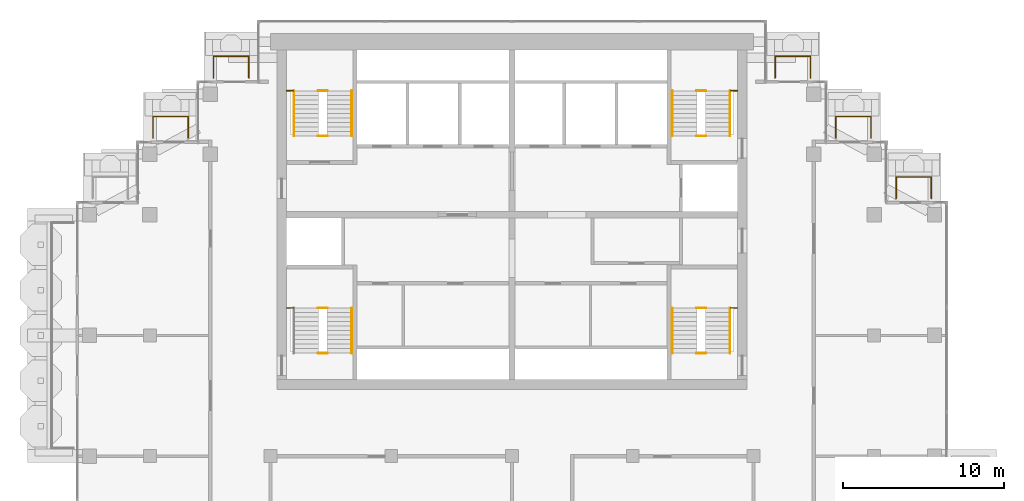
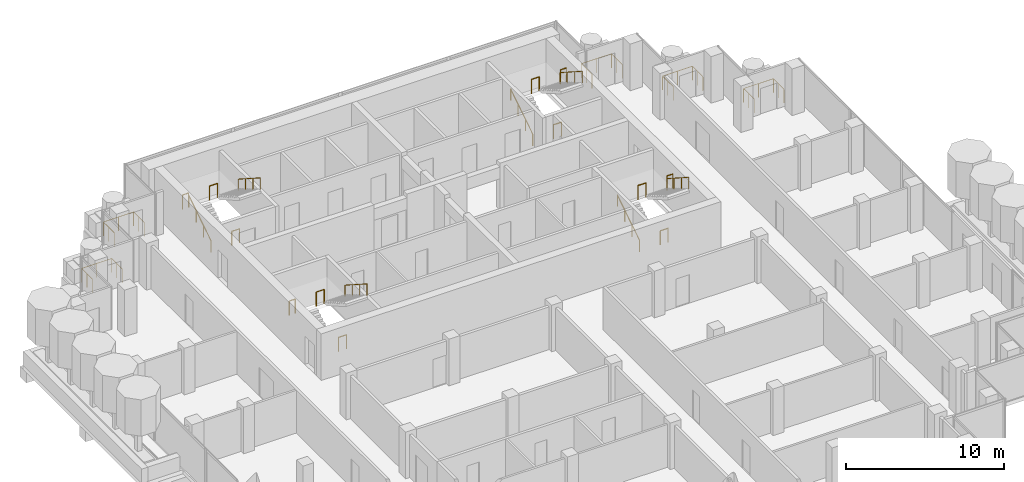
# One storey, part 17 of 18: 24 railings.
"""IFC4 building model written with IfcOpenShell, lengths in metres."""

from ifc_helpers import new_model, si_unit, direction, frame, origin, origin_2d, place, context, subcontext, project, spatial, circle, extrude, material, type_object, element, save


model = new_model("IFC4")

# Units and contexts
model_context = context("Model", 3, precision=1e-05, world=origin(), true_north=direction((0.0, 1.0)))
body_context = subcontext(model_context, "Body", "Model", "MODEL_VIEW")
ifc_project = project(units=[si_unit("LENGTHUNIT", "METRE"), si_unit("AREAUNIT", "SQUARE_METRE"), si_unit("VOLUMEUNIT", "CUBIC_METRE"), si_unit("PLANEANGLEUNIT", "RADIAN"), si_unit("MASSUNIT", "GRAM", prefix="KILO")], contexts=[model_context])

# Site, building, storey
site_placement = place(None, origin())
site = spatial("IfcSite", under=ifc_project, at=site_placement, CompositionType="ELEMENT")
building_placement = place(site_placement, origin())
building = spatial("IfcBuilding", under=site, at=building_placement, Name="Pilkhan Gate Tower", CompositionType="ELEMENT")
storey_placement = place(building_placement, frame((0.0, 0.0, 242.699951171875)))
storey = spatial("IfcBuildingStorey", under=building, at=storey_placement, Name="L63", CompositionType="ELEMENT", Elevation=242.699951171875)

# Railings
ifc_material_1 = material(Name="Pale anodised aluminium posts, laminated glass infill", Category="aluminium")
railing_type_1 = type_object("IfcRailingType", Name="Balcony guard G1", PredefinedType="BALUSTRADE", material=ifc_material_1)
for number, where, name in (
    (1, (56.449951171875, 91.0, 0.0), "Balcony guard L63 N"),
    (2, (91.35009765625, 91.0, 0.0), "Balcony guard L63 N"),
):
    element("IfcRailing", number, at=place(storey_placement, frame(where)), inside=storey, type_object=railing_type_1, Name=name, PredefinedType="BALUSTRADE", context=body_context, shape_type="SweptSolid", body=[
        extrude(circle(Radius=0.02392578125, at=origin_2d()), frame((0.0, 0.0, 1.076171875), z_axis=(0.0, 1.0, 0.0), x_axis=(-1.0, 0.0, 0.0)), (0.0, 0.0, 1.0), 1.35009765625),
        extrude(circle(Radius=0.02392578125, at=origin_2d()), frame((0.0, 1.35009765625, 1.076171875), z_axis=(1.0, 0.0, 0.0), x_axis=(0.0, 1.0, 0.0)), (0.0, 0.0, 1.0), 2.199951171875),
        extrude(circle(Radius=0.02392578125, at=origin_2d()), frame((2.199951171875, 1.35009765625, 1.076171875), z_axis=(0.0, -1.0, 0.0), x_axis=(1.0, 0.0, 0.0)), (0.0, 0.0, 1.0), 1.35009765625),
        extrude(circle(Radius=0.02099609375, at=origin_2d()), origin(), (0.0, 0.0, 1.0), 1.052001953125),
        extrude(circle(Radius=0.02099609375, at=origin_2d()), frame((0.0, 0.675048828125, 0.0)), (0.0, 0.0, 1.0), 1.052001953125),
        extrude(circle(Radius=0.02099609375, at=origin_2d()), frame((0.0, 1.35009765625, 0.0)), (0.0, 0.0, 1.0), 1.052001953125),
        extrude(circle(Radius=0.02099609375, at=origin_2d()), frame((1.10009765625, 1.35009765625, 0.0)), (0.0, 0.0, 1.0), 1.052001953125),
        extrude(circle(Radius=0.02099609375, at=origin_2d()), frame((2.199951171875, 1.35009765625, 0.0)), (0.0, 0.0, 1.0), 1.052001953125),
        extrude(circle(Radius=0.02099609375, at=origin_2d()), frame((2.199951171875, 0.675048828125, 0.0)), (0.0, 0.0, 1.0), 1.052001953125),
        extrude(circle(Radius=0.02099609375, at=origin_2d()), frame((2.199951171875, 0.0, 0.0)), (0.0, 0.0, 1.0), 1.052001953125),
    ])
for number, where, name in (
    (3, (52.699951171875, 87.27001953125, 0.0), "Balcony guard L63 N"),
    (4, (95.1201171875, 87.27001953125, 0.0), "Balcony guard L63 N"),
    (5, (98.8701171875, 83.52001953125, 0.0), "Balcony guard L63 N"),
):
    element("IfcRailing", number, at=place(storey_placement, frame(where)), inside=storey, type_object=railing_type_1, Name=name, PredefinedType="BALUSTRADE", context=body_context, shape_type="SweptSolid", body=[
        extrude(circle(Radius=0.02392578125, at=origin_2d()), frame((0.0, 0.0, 1.076171875), z_axis=(0.0, 1.0, 0.0), x_axis=(-1.0, 0.0, 0.0)), (0.0, 0.0, 1.0), 1.330078125),
        extrude(circle(Radius=0.02392578125, at=origin_2d()), frame((0.0, 1.330078125, 1.076171875), z_axis=(1.0, 0.0, 0.0), x_axis=(0.0, 1.0, 0.0)), (0.0, 0.0, 1.0), 2.179931640625),
        extrude(circle(Radius=0.02392578125, at=origin_2d()), frame((2.179931640625, 1.330078125, 1.076171875), z_axis=(0.0, -1.0, 0.0), x_axis=(1.0, 0.0, 0.0)), (0.0, 0.0, 1.0), 1.330078125),
        extrude(circle(Radius=0.02099609375, at=origin_2d()), origin(), (0.0, 0.0, 1.0), 1.052001953125),
        extrude(circle(Radius=0.02099609375, at=origin_2d()), frame((0.0, 0.6650390625, 0.0)), (0.0, 0.0, 1.0), 1.052001953125),
        extrude(circle(Radius=0.02099609375, at=origin_2d()), frame((0.0, 1.330078125, 0.0)), (0.0, 0.0, 1.0), 1.052001953125),
        extrude(circle(Radius=0.02099609375, at=origin_2d()), frame((1.08984375, 1.330078125, 0.0)), (0.0, 0.0, 1.0), 1.052001953125),
        extrude(circle(Radius=0.02099609375, at=origin_2d()), frame((2.179931640625, 1.330078125, 0.0)), (0.0, 0.0, 1.0), 1.052001953125),
        extrude(circle(Radius=0.02099609375, at=origin_2d()), frame((2.179931640625, 0.6650390625, 0.0)), (0.0, 0.0, 1.0), 1.052001953125),
        extrude(circle(Radius=0.02099609375, at=origin_2d()), frame((2.179931640625, 0.0, 0.0)), (0.0, 0.0, 1.0), 1.052001953125),
    ])
ifc_material_2 = material(Name="Black powder-coated steel tube", Category="steel")
railing_type_2 = type_object("IfcRailingType", Name="Stair handrail HR1", PredefinedType="HANDRAIL", material=ifc_material_2)
railing_1_placement = place(storey_placement, frame((84.949951171875, 73.89990234375, 0.0)))
element("IfcRailing", 6, at=railing_1_placement, inside=storey, type_object=railing_type_2, Name="Stair ST1 handrail L63", PredefinedType="HANDRAIL", context=body_context, shape_type="SweptSolid", body=[
    extrude(circle(Radius=0.02392578125, at=origin_2d()), frame((0.0, 0.0, 0.8759765625), z_axis=(0.0, 0.841176092368, 0.540761298198), x_axis=(-1.0, 0.0, 0.0)), (0.0, 0.0, 1.0), 3.32861328125),
    extrude(circle(Radius=0.02099609375, at=origin_2d()), origin(), (0.0, 0.0, 1.0), 0.851806640625),
    extrude(circle(Radius=0.02099609375, at=origin_2d()), frame((0.0, 0.933349609375, 0.60009765625)), (0.0, 0.0, 1.0), 0.851806640625),
    extrude(circle(Radius=0.02099609375, at=origin_2d()), frame((0.0, 1.86669921875, 1.199951171875)), (0.0, 0.0, 1.0), 0.851806640625),
    extrude(circle(Radius=0.02099609375, at=origin_2d()), frame((0.0, 2.800048828125, 1.800048828125)), (0.0, 0.0, 1.0), 0.851806640625),
])
for number, where, name in (
    (7, (88.550048828125, 76.699951171875, 1.800048828125), "Stair ST1 handrail L63"),
    (8, (65.050048828125, 76.699951171875, 1.800048828125), "Stair ST2 handrail L63"),
):
    element("IfcRailing", number, at=place(storey_placement, frame(where)), inside=storey, type_object=railing_type_2, Name=name, PredefinedType="HANDRAIL", context=body_context, shape_type="SweptSolid", body=[
        extrude(circle(Radius=0.02392578125, at=origin_2d()), frame((0.0, 0.0, 0.8759765625), z_axis=(0.0, -0.841176092368, 0.540761298198), x_axis=(1.0, 0.0, 0.0)), (0.0, 0.0, 1.0), 3.32861328125),
        extrude(circle(Radius=0.02099609375, at=origin_2d()), origin(), (0.0, 0.0, 1.0), 0.851806640625),
        extrude(circle(Radius=0.02099609375, at=origin_2d()), frame((0.0, -0.933349609375, 0.60009765625)), (0.0, 0.0, 1.0), 0.851806640625),
        extrude(circle(Radius=0.02099609375, at=origin_2d()), frame((0.0, -1.86669921875, 1.199951171875)), (0.0, 0.0, 1.0), 0.851806640625),
        extrude(circle(Radius=0.02099609375, at=origin_2d()), frame((0.0, -2.800048828125, 1.800048828125)), (0.0, 0.0, 1.0), 0.851806640625),
    ])
railing_2_placement = place(storey_placement, frame((61.449951171875, 87.39990234375, 0.0)))
element("IfcRailing", 9, at=railing_2_placement, inside=storey, type_object=railing_type_2, Name="Stair ST3 handrail L63", PredefinedType="HANDRAIL", context=body_context, shape_type="SweptSolid", body=[
    extrude(circle(Radius=0.02392578125, at=origin_2d()), frame((0.0, 0.0, 0.8759765625), z_axis=(0.0, 0.841176092368, 0.540761298198), x_axis=(-1.0, 0.0, 0.0)), (0.0, 0.0, 1.0), 3.32861328125),
    extrude(circle(Radius=0.02099609375, at=origin_2d()), origin(), (0.0, 0.0, 1.0), 0.851806640625),
    extrude(circle(Radius=0.02099609375, at=origin_2d()), frame((0.0, 0.933349609375, 0.60009765625)), (0.0, 0.0, 1.0), 0.851806640625),
    extrude(circle(Radius=0.02099609375, at=origin_2d()), frame((0.0, 1.86669921875, 1.199951171875)), (0.0, 0.0, 1.0), 0.851806640625),
    extrude(circle(Radius=0.02099609375, at=origin_2d()), frame((0.0, 2.800048828125, 1.800048828125)), (0.0, 0.0, 1.0), 0.851806640625),
])
railing_3_placement = place(storey_placement, frame((65.050048828125, 90.199951171875, 1.800048828125)))
element("IfcRailing", 10, at=railing_3_placement, inside=storey, type_object=railing_type_2, Name="Stair ST3 handrail L63", PredefinedType="HANDRAIL", context=body_context, shape_type="SweptSolid", body=[
    extrude(circle(Radius=0.02392578125, at=origin_2d()), frame((0.0, 0.0, 0.8759765625), z_axis=(0.0, -0.841176092368, 0.540761298198), x_axis=(1.0, 0.0, 0.0)), (0.0, 0.0, 1.0), 3.32861328125),
    extrude(circle(Radius=0.02099609375, at=origin_2d()), origin(), (0.0, 0.0, 1.0), 0.851806640625),
    extrude(circle(Radius=0.02099609375, at=origin_2d()), frame((0.0, -0.933349609375, 0.60009765625)), (0.0, 0.0, 1.0), 0.851806640625),
    extrude(circle(Radius=0.02099609375, at=origin_2d()), frame((0.0, -1.86669921875, 1.199951171875)), (0.0, 0.0, 1.0), 0.851806640625),
    extrude(circle(Radius=0.02099609375, at=origin_2d()), frame((0.0, -2.800048828125, 1.800048828125)), (0.0, 0.0, 1.0), 0.851806640625),
])
railing_4_placement = place(storey_placement, frame((84.949951171875, 87.39990234375, 0.0)))
element("IfcRailing", 11, at=railing_4_placement, inside=storey, type_object=railing_type_2, Name="Stair ST4 handrail L63", PredefinedType="HANDRAIL", context=body_context, shape_type="SweptSolid", body=[
    extrude(circle(Radius=0.02392578125, at=origin_2d()), frame((0.0, 0.0, 0.8759765625), z_axis=(0.0, 0.841176092368, 0.540761298198), x_axis=(-1.0, 0.0, 0.0)), (0.0, 0.0, 1.0), 3.32861328125),
    extrude(circle(Radius=0.02099609375, at=origin_2d()), origin(), (0.0, 0.0, 1.0), 0.851806640625),
    extrude(circle(Radius=0.02099609375, at=origin_2d()), frame((0.0, 0.933349609375, 0.60009765625)), (0.0, 0.0, 1.0), 0.851806640625),
    extrude(circle(Radius=0.02099609375, at=origin_2d()), frame((0.0, 1.86669921875, 1.199951171875)), (0.0, 0.0, 1.0), 0.851806640625),
    extrude(circle(Radius=0.02099609375, at=origin_2d()), frame((0.0, 2.800048828125, 1.800048828125)), (0.0, 0.0, 1.0), 0.851806640625),
])
railing_5_placement = place(storey_placement, frame((88.550048828125, 90.199951171875, 1.800048828125)))
element("IfcRailing", 12, at=railing_5_placement, inside=storey, type_object=railing_type_2, Name="Stair ST4 handrail L63", PredefinedType="HANDRAIL", context=body_context, shape_type="SweptSolid", body=[
    extrude(circle(Radius=0.02392578125, at=origin_2d()), frame((0.0, 0.0, 0.8759765625), z_axis=(0.0, -0.841176092368, 0.540761298198), x_axis=(1.0, 0.0, 0.0)), (0.0, 0.0, 1.0), 3.32861328125),
    extrude(circle(Radius=0.02099609375, at=origin_2d()), origin(), (0.0, 0.0, 1.0), 0.851806640625),
    extrude(circle(Radius=0.02099609375, at=origin_2d()), frame((0.0, -0.933349609375, 0.60009765625)), (0.0, 0.0, 1.0), 0.851806640625),
    extrude(circle(Radius=0.02099609375, at=origin_2d()), frame((0.0, -1.86669921875, 1.199951171875)), (0.0, 0.0, 1.0), 0.851806640625),
    extrude(circle(Radius=0.02099609375, at=origin_2d()), frame((0.0, -2.800048828125, 1.800048828125)), (0.0, 0.0, 1.0), 0.851806640625),
])
ifc_material_3 = material(Name="Black powder-coated steel balusters", Category="steel")
railing_type_3 = type_object("IfcRailingType", Name="Stair well guard G3", PredefinedType="GUARDRAIL", material=ifc_material_3)
railing_6_placement = place(storey_placement, frame((88.580078125, 76.699951171875, 1.800048828125)))
element("IfcRailing", 13, at=railing_6_placement, inside=storey, type_object=railing_type_3, Name="Stair ST1 well guard L63", PredefinedType="GUARDRAIL", context=body_context, shape_type="SweptSolid", body=[
    extrude(circle(Radius=0.02392578125, at=origin_2d()), frame((0.0, 0.0, 1.076171875), z_axis=(1.0, 0.0, 0.0), x_axis=(0.0, 1.0, 0.0)), (0.0, 0.0, 1.0), 0.43994140625),
    extrude(circle(Radius=0.02099609375, at=origin_2d()), origin(), (0.0, 0.0, 1.0), 1.052001953125),
    extrude(circle(Radius=0.02099609375, at=origin_2d()), frame((0.43994140625, 0.0, 0.0)), (0.0, 0.0, 1.0), 1.052001953125),
])
for number, where, name in (
    (14, (86.4599609375, 73.89990234375, 0.0), "Stair ST1 well guard L63"),
    (15, (86.4599609375, 76.699951171875, 1.800048828125), "Stair ST1 well guard L63"),
):
    element("IfcRailing", number, at=place(storey_placement, frame(where)), inside=storey, type_object=railing_type_3, Name=name, PredefinedType="GUARDRAIL", context=body_context, shape_type="SweptSolid", body=[
        extrude(circle(Radius=0.02392578125, at=origin_2d()), frame((0.0, 0.0, 1.076171875), z_axis=(1.0, 0.0, 0.0), x_axis=(0.0, 1.0, 0.0)), (0.0, 0.0, 1.0), 0.580078125),
        extrude(circle(Radius=0.02099609375, at=origin_2d()), origin(), (0.0, 0.0, 1.0), 1.052001953125),
        extrude(circle(Radius=0.02099609375, at=origin_2d()), frame((0.580078125, 0.0, 0.0)), (0.0, 0.0, 1.0), 1.052001953125),
    ])
railing_7_placement = place(storey_placement, frame((60.97998046875, 76.699951171875, 1.800048828125)))
element("IfcRailing", 16, at=railing_7_placement, inside=storey, type_object=railing_type_3, Name="Stair ST2 well guard L63", PredefinedType="GUARDRAIL", context=body_context, shape_type="SweptSolid", body=[
    extrude(circle(Radius=0.02392578125, at=origin_2d()), frame((0.0, 0.0, 1.076171875), z_axis=(1.0, 0.0, 0.0), x_axis=(0.0, 1.0, 0.0)), (0.0, 0.0, 1.0), 0.43994140625),
    extrude(circle(Radius=0.02099609375, at=origin_2d()), origin(), (0.0, 0.0, 1.0), 1.052001953125),
    extrude(circle(Radius=0.02099609375, at=origin_2d()), frame((0.43994140625, 0.0, 0.0)), (0.0, 0.0, 1.0), 1.052001953125),
])
for number, where, name in (
    (17, (62.9599609375, 73.89990234375, 0.0), "Stair ST2 well guard L63"),
    (18, (62.9599609375, 76.699951171875, 1.800048828125), "Stair ST2 well guard L63"),
):
    element("IfcRailing", number, at=place(storey_placement, frame(where)), inside=storey, type_object=railing_type_3, Name=name, PredefinedType="GUARDRAIL", context=body_context, shape_type="SweptSolid", body=[
        extrude(circle(Radius=0.02392578125, at=origin_2d()), frame((0.0, 0.0, 1.076171875), z_axis=(1.0, 0.0, 0.0), x_axis=(0.0, 1.0, 0.0)), (0.0, 0.0, 1.0), 0.580078125),
        extrude(circle(Radius=0.02099609375, at=origin_2d()), origin(), (0.0, 0.0, 1.0), 1.052001953125),
        extrude(circle(Radius=0.02099609375, at=origin_2d()), frame((0.580078125, 0.0, 0.0)), (0.0, 0.0, 1.0), 1.052001953125),
    ])
railing_8_placement = place(storey_placement, frame((60.97998046875, 90.199951171875, 1.800048828125)))
element("IfcRailing", 19, at=railing_8_placement, inside=storey, type_object=railing_type_3, Name="Stair ST3 well guard L63", PredefinedType="GUARDRAIL", context=body_context, shape_type="SweptSolid", body=[
    extrude(circle(Radius=0.02392578125, at=origin_2d()), frame((0.0, 0.0, 1.076171875), z_axis=(1.0, 0.0, 0.0), x_axis=(0.0, 1.0, 0.0)), (0.0, 0.0, 1.0), 0.43994140625),
    extrude(circle(Radius=0.02099609375, at=origin_2d()), origin(), (0.0, 0.0, 1.0), 1.052001953125),
    extrude(circle(Radius=0.02099609375, at=origin_2d()), frame((0.43994140625, 0.0, 0.0)), (0.0, 0.0, 1.0), 1.052001953125),
])
for number, where, name in (
    (20, (62.9599609375, 87.39990234375, 0.0), "Stair ST3 well guard L63"),
    (21, (62.9599609375, 90.199951171875, 1.800048828125), "Stair ST3 well guard L63"),
):
    element("IfcRailing", number, at=place(storey_placement, frame(where)), inside=storey, type_object=railing_type_3, Name=name, PredefinedType="GUARDRAIL", context=body_context, shape_type="SweptSolid", body=[
        extrude(circle(Radius=0.02392578125, at=origin_2d()), frame((0.0, 0.0, 1.076171875), z_axis=(1.0, 0.0, 0.0), x_axis=(0.0, 1.0, 0.0)), (0.0, 0.0, 1.0), 0.580078125),
        extrude(circle(Radius=0.02099609375, at=origin_2d()), origin(), (0.0, 0.0, 1.0), 1.052001953125),
        extrude(circle(Radius=0.02099609375, at=origin_2d()), frame((0.580078125, 0.0, 0.0)), (0.0, 0.0, 1.0), 1.052001953125),
    ])
railing_9_placement = place(storey_placement, frame((88.580078125, 90.199951171875, 1.800048828125)))
element("IfcRailing", 22, at=railing_9_placement, inside=storey, type_object=railing_type_3, Name="Stair ST4 well guard L63", PredefinedType="GUARDRAIL", context=body_context, shape_type="SweptSolid", body=[
    extrude(circle(Radius=0.02392578125, at=origin_2d()), frame((0.0, 0.0, 1.076171875), z_axis=(1.0, 0.0, 0.0), x_axis=(0.0, 1.0, 0.0)), (0.0, 0.0, 1.0), 0.43994140625),
    extrude(circle(Radius=0.02099609375, at=origin_2d()), origin(), (0.0, 0.0, 1.0), 1.052001953125),
    extrude(circle(Radius=0.02099609375, at=origin_2d()), frame((0.43994140625, 0.0, 0.0)), (0.0, 0.0, 1.0), 1.052001953125),
])
for number, where, name in (
    (23, (86.4599609375, 87.39990234375, 0.0), "Stair ST4 well guard L63"),
    (24, (86.4599609375, 90.199951171875, 1.800048828125), "Stair ST4 well guard L63"),
):
    element("IfcRailing", number, at=place(storey_placement, frame(where)), inside=storey, type_object=railing_type_3, Name=name, PredefinedType="GUARDRAIL", context=body_context, shape_type="SweptSolid", body=[
        extrude(circle(Radius=0.02392578125, at=origin_2d()), frame((0.0, 0.0, 1.076171875), z_axis=(1.0, 0.0, 0.0), x_axis=(0.0, 1.0, 0.0)), (0.0, 0.0, 1.0), 0.580078125),
        extrude(circle(Radius=0.02099609375, at=origin_2d()), origin(), (0.0, 0.0, 1.0), 1.052001953125),
        extrude(circle(Radius=0.02099609375, at=origin_2d()), frame((0.580078125, 0.0, 0.0)), (0.0, 0.0, 1.0), 1.052001953125),
    ])

save(model, "model.ifc")
